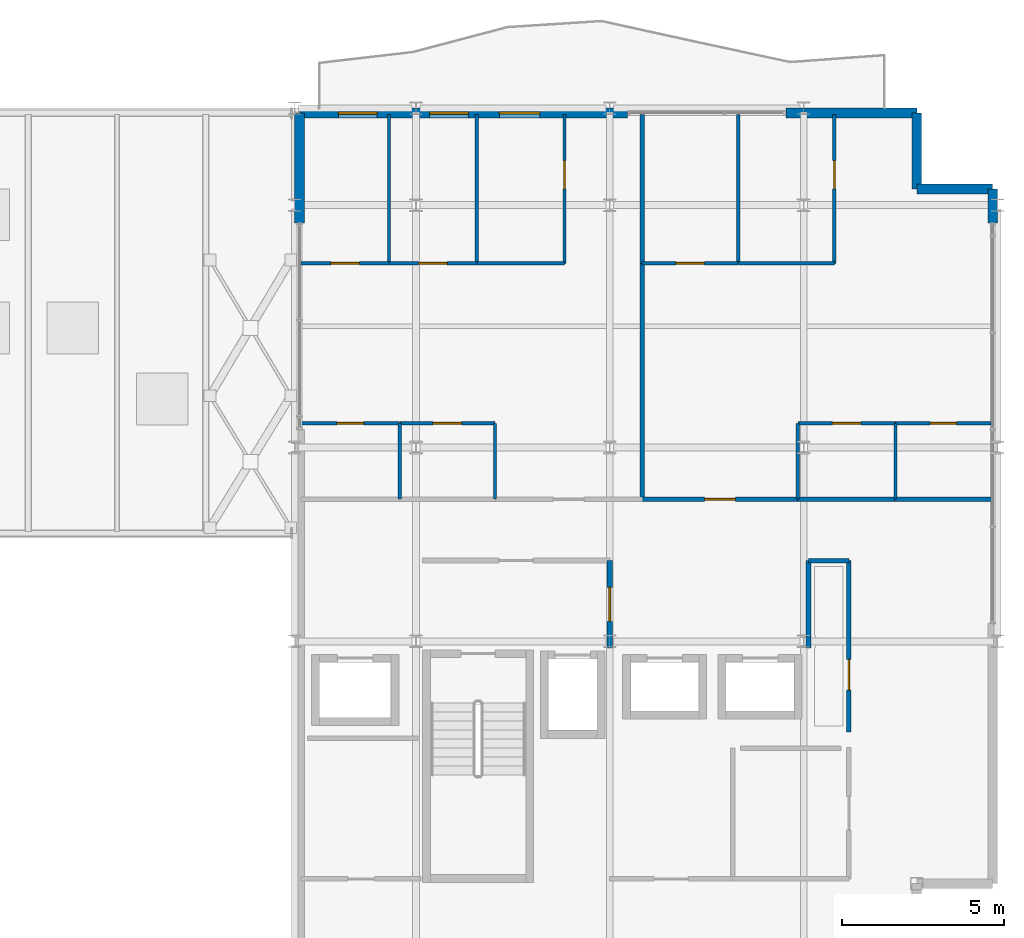
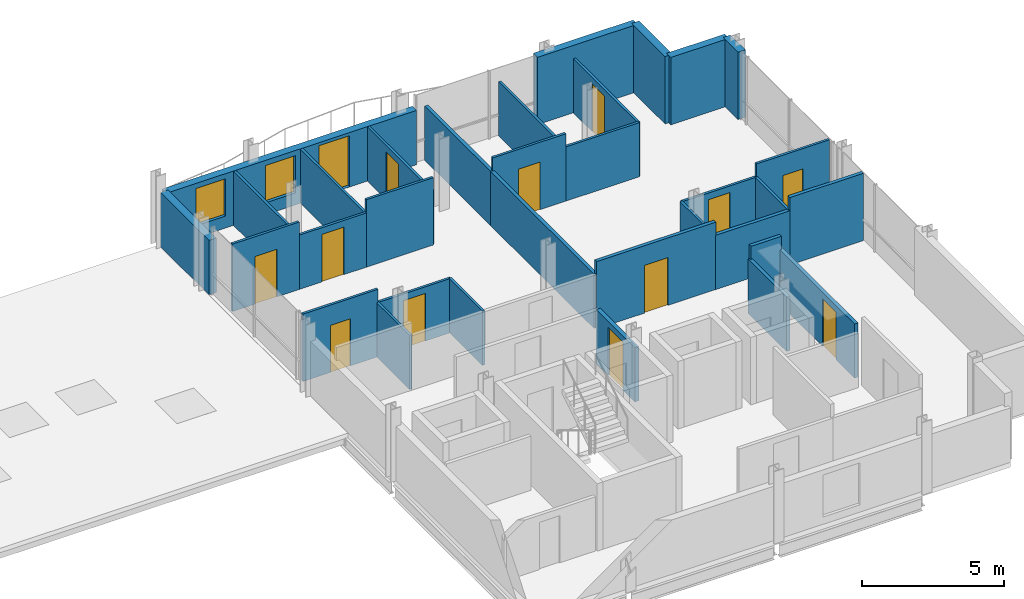
# One storey, part 30 of 33: 33 walls, 13 doors, 2 windows, 15 openings.
"""IFC4 building model written with IfcOpenShell, lengths in metres."""

from ifc_helpers import new_model, si_unit, direction, frame, frame_2d, origin, place, context, subcontext, project, spatial, rectangle, extrude, material, layer, layer_set, type_object, element, fill, save


model = new_model("IFC4")

# Units and contexts
model_context = context("Model", 3, precision=1e-05, world=origin(), true_north=direction((0.0, 1.0)))
body_context = subcontext(model_context, "Body", "Model", "MODEL_VIEW")
ifc_project = project(units=[si_unit("LENGTHUNIT", "METRE"), si_unit("AREAUNIT", "SQUARE_METRE"), si_unit("VOLUMEUNIT", "CUBIC_METRE"), si_unit("PLANEANGLEUNIT", "RADIAN"), si_unit("MASSUNIT", "GRAM", prefix="KILO")], contexts=[model_context])

# Site, building, storey
site_placement = place(None, origin())
site = spatial("IfcSite", under=ifc_project, at=site_placement, CompositionType="ELEMENT")
building_placement = place(site_placement, origin())
building = spatial("IfcBuilding", under=site, at=building_placement, Name="Brevholm Reach", CompositionType="ELEMENT")
storey_placement = place(building_placement, frame((0.0, 0.0, 189.39990234375)))
storey = spatial("IfcBuildingStorey", under=building, at=storey_placement, Name="L57", CompositionType="ELEMENT", Elevation=189.39990234375)

# Walls
ifc_material_1 = material(Name="Concrete C40/50", Category="concrete")
ifc_layer_1 = layer(ifc_material_1, 0.300048828125)
ifc_layer_set_1 = layer_set([ifc_layer_1], Name="Concrete C40/50")
wall_type_1 = type_object("IfcWallType", Name="WAL-EXT-300", PredefinedType="STANDARD", material=ifc_layer_set_1)
for number, where, z_axis, x_axis, name in (
    (1, (59.85009765625, 24.0, 0.0), (0.0, 0.0, 1.0), (-1.0, 0.0, 0.0), "L57 Facade Wall WAL-L57-EW-CNE1"),
    (2, (57.5, 24.0, 0.0), (0.0, 0.0, 1.0), (0.0, 1.0, 0.0), "L57 Facade Wall WAL-L57-EW-CNE2"),
):
    element("IfcWall", number, at=place(storey_placement, frame(where, z_axis=z_axis, x_axis=x_axis)), inside=storey, type_object=wall_type_1, Name=name, PredefinedType="STANDARD", context=body_context, shape_type="SweptSolid", body=[
        extrude(rectangle(XDim=2.35009765625, YDim=0.300048828125, at=frame_2d((1.175048828125, 0.0))), origin(), (0.0, 0.0, 1.0), 2.89013671875),
    ])
wall_1_placement = place(storey_placement, frame((38.39990234375, 26.35009765625, 0.0), z_axis=(0.0, 0.0, 1.0), x_axis=(0.0, -1.0, 0.0)))
element("IfcWall", 3, at=wall_1_placement, inside=storey, type_object=wall_type_1, Name="L57 Facade Wall WAL-L57-VP-EN", PredefinedType="STANDARD", context=body_context, shape_type="SweptSolid", body=[
    extrude(rectangle(XDim=3.400146484375, YDim=0.300048828125, at=frame_2d((1.7001953125, 0.0))), origin(), (0.0, 0.0, 1.0), 2.33203125),
])
wall_2_placement = place(storey_placement, frame((59.85009765625, 22.949951171875, 0.0), z_axis=(0.0, 0.0, 1.0), x_axis=(0.0, 1.0, 0.0)))
element("IfcWall", 4, at=wall_2_placement, inside=storey, type_object=wall_type_1, Name="L57 Facade Wall WAL-L57-EW-EN", PredefinedType="STANDARD", context=body_context, shape_type="SweptSolid", body=[
    extrude(rectangle(XDim=1.050048828125, YDim=0.300048828125, at=frame_2d((0.52490234375, 0.0))), origin(), (0.0, 0.0, 1.0), 2.89013671875),
])

# Wall, openings, door, windows
wall_3_placement = place(storey_placement, frame((38.39990234375, 26.35009765625, 0.0), z_axis=(0.0, 0.0, 1.0), x_axis=(1.0, 0.0, 0.0)))
wall_3 = element("IfcWall", 5, at=wall_3_placement, inside=storey, type_object=wall_type_1, Name="L57 Facade Wall WAL-L57-EW-NP1", PredefinedType="STANDARD", context=body_context, shape_type="SweptSolid", body=[
    extrude(rectangle(XDim=10.150146484375, YDim=0.300048828125, at=frame_2d((5.0751953125, 0.0))), origin(), (0.0, 0.0, 1.0), 2.33203125),
])
opening_1_placement = place(wall_3_placement, frame((6.18408203125, 0.0, 0.0)))
opening_1 = element("IfcOpeningElement", 6, at=opening_1_placement, cuts=wall_3, Name="Opening BD-02", PredefinedType="OPENING", context=body_context, shape_type="SweptSolid", body=[
    extrude(rectangle(XDim=1.25, YDim=2.199951171875, at=frame_2d((0.625, 1.10009765625))), frame((0.0, 0.159912109375, 0.0), z_axis=(0.0, -1.0, 0.0), x_axis=(1.0, 0.0, 0.0)), (0.0, 0.0, 1.0), 0.320068359375),
])
opening_2_placement = place(wall_3_placement, frame((1.199951171875, 0.0, 0.511962890625)))
opening_2 = element("IfcOpeningElement", 7, at=opening_2_placement, cuts=wall_3, Name="Opening WN-08", PredefinedType="OPENING", context=body_context, shape_type="SweptSolid", body=[
    extrude(rectangle(XDim=1.199951171875, YDim=1.60009765625, at=frame_2d((0.60009765625, 0.800048828125))), frame((0.0, 0.159912109375, 0.0), z_axis=(0.0, -1.0, 0.0), x_axis=(1.0, 0.0, 0.0)), (0.0, 0.0, 1.0), 0.320068359375),
])
opening_3_placement = place(wall_3_placement, frame((4.02685546875, 0.0, 0.511962890625)))
opening_3 = element("IfcOpeningElement", 8, at=opening_3_placement, cuts=wall_3, Name="Opening WN-08", PredefinedType="OPENING", context=body_context, shape_type="SweptSolid", body=[
    extrude(rectangle(XDim=1.199951171875, YDim=1.60009765625, at=frame_2d((0.60009765625, 0.800048828125))), frame((0.0, 0.159912109375, 0.0), z_axis=(0.0, -1.0, 0.0), x_axis=(1.0, 0.0, 0.0)), (0.0, 0.0, 1.0), 0.320068359375),
])
ifc_material_2 = material(Name="Dark Anodised Aluminium and Triple-Glazed Glass", Category="aluminium")
door_type_1 = type_object("IfcDoorType", Name="DOR-BALC-1250", OperationType="NOTDEFINED", PredefinedType="DOOR", material=ifc_material_2)
door_1_placement = place(opening_1_placement, origin())
door_1 = element("IfcDoor", 9, at=door_1_placement, inside=storey, type_object=door_type_1, Name="L57 Exterior Door DOR-L57-BL-NE", OperationType="SINGLE_SWING_LEFT", OverallHeight=2.199951171875, OverallWidth=1.25, PredefinedType="DOOR", context=body_context, shape_type="SweptSolid", body=[
    extrude(rectangle(XDim=1.25, YDim=2.199951171875, at=frame_2d((0.625, 1.10009765625))), frame((0.0, 0.02490234375, 0.0), z_axis=(0.0, -1.0, 0.0), x_axis=(1.0, 0.0, 0.0)), (0.0, 0.0, 1.0), 0.050048828125),
])
fill(opening_1, door_1)
ifc_material_3 = material(Name="Dark Anodised Aluminium and Solar-Control IGU Glass", Category="aluminium")
window_type = type_object("IfcWindowType", Name="WIN-RES-1200", PartitioningType="SINGLE_PANEL", PredefinedType="WINDOW", material=ifc_material_3)
window_1_placement = place(opening_2_placement, origin())
window_1 = element("IfcWindow", 10, at=window_1_placement, inside=storey, type_object=window_type, Name="L57 Window WIN-L57-EW-NP1", OverallHeight=1.60009765625, OverallWidth=1.199951171875, PartitioningType="SINGLE_PANEL", PredefinedType="WINDOW", context=body_context, shape_type="SweptSolid", body=[
    extrude(rectangle(XDim=1.199951171875, YDim=1.60009765625, at=frame_2d((0.60009765625, 0.800048828125))), frame((0.0, 0.030029296875, 0.0), z_axis=(0.0, -1.0, 0.0), x_axis=(1.0, 0.0, 0.0)), (0.0, 0.0, 1.0), 0.06005859375),
])
fill(opening_2, window_1)
window_2_placement = place(opening_3_placement, origin())
window_2 = element("IfcWindow", 11, at=window_2_placement, inside=storey, type_object=window_type, Name="L57 Bedroom Window 057", OverallHeight=1.60009765625, OverallWidth=1.199951171875, PartitioningType="SINGLE_PANEL", PredefinedType="WINDOW", context=body_context, shape_type="SweptSolid", body=[
    extrude(rectangle(XDim=1.199951171875, YDim=1.60009765625, at=frame_2d((0.60009765625, 0.800048828125))), frame((0.0, 0.030029296875, 0.0), z_axis=(0.0, -1.0, 0.0), x_axis=(1.0, 0.0, 0.0)), (0.0, 0.0, 1.0), 0.06005859375),
])
fill(opening_3, window_2)

# Walls
wall_4_placement = place(storey_placement, frame((53.449951171875, 26.35009765625, 0.0), z_axis=(0.0, 0.0, 1.0), x_axis=(1.0, 0.0, 0.0)))
element("IfcWall", 12, at=wall_4_placement, inside=storey, type_object=wall_type_1, Name="L57 Facade Wall WAL-L57-EW-NP2", PredefinedType="STANDARD", context=body_context, shape_type="SweptSolid", body=[
    extrude(rectangle(XDim=4.050048828125, YDim=0.300048828125, at=frame_2d((2.02490234375, 0.0))), origin(), (0.0, 0.0, 1.0), 2.89013671875),
])
ifc_material_4 = material(Name="Moisture-Resistant Acoustic Gypsum Stud Partition 100 mm", Category="gypsum")
ifc_layer_2 = layer(ifc_material_4, 0.10009765625)
ifc_layer_set_2 = layer_set([ifc_layer_2], Name="Moisture-Resistant Acoustic Gypsum Stud Partition 100 mm")
wall_type_2 = type_object("IfcWallType", Name="WAL-PRT-100", PredefinedType="PARTITIONING", material=ifc_layer_set_2)
wall_5_placement = place(storey_placement, frame((41.498046875, 14.404052734375, 0.0), z_axis=(0.0, 0.0, 1.0), x_axis=(0.0, 1.0, 0.0)))
element("IfcWall", 13, at=wall_5_placement, inside=storey, type_object=wall_type_2, Name="L57 Internal Partition 070", PredefinedType="PARTITIONING", context=body_context, shape_type="SweptSolid", body=[
    extrude(rectangle(XDim=2.345947265625, YDim=0.10009765625, at=frame_2d((1.1728515625, 0.0))), origin(), (0.0, 0.0, 1.0), 2.32568359375),
])

# Wall, opening, door
wall_6_placement = place(storey_placement, frame((38.449951171875, 16.75, 0.0), z_axis=(0.0, 0.0, 1.0), x_axis=(1.0, 0.0, 0.0)))
wall_6 = element("IfcWall", 14, at=wall_6_placement, inside=storey, type_object=wall_type_2, Name="L57 Internal Partition 071", PredefinedType="PARTITIONING", context=body_context, shape_type="SweptSolid", body=[
    extrude(rectangle(XDim=3.048095703125, YDim=0.10009765625, at=frame_2d((1.52392578125, 0.0))), origin(), (0.0, 0.0, 1.0), 2.89013671875),
])
opening_4_placement = place(wall_6_placement, frame((1.114013671875, 0.0, 0.0)))
opening_4 = element("IfcOpeningElement", 15, at=opening_4_placement, cuts=wall_6, Name="Opening ID-03", PredefinedType="OPENING", context=body_context, shape_type="SweptSolid", body=[
    extrude(rectangle(XDim=0.820068359375, YDim=2.02001953125, at=frame_2d((0.41015625, 1.010009765625))), frame((0.0, 0.06005859375, 0.0), z_axis=(0.0, -1.0, 0.0), x_axis=(1.0, 0.0, 0.0)), (0.0, 0.0, 1.0), 0.1201171875),
])
ifc_material_5 = material(Name="Moisture-Resistant Painted Timber Internal Bathroom Door", Category="wood")
door_type_2 = type_object("IfcDoorType", Name="DOR-BATH-820", OperationType="NOTDEFINED", PredefinedType="DOOR", material=ifc_material_5)
door_2_placement = place(opening_4_placement, origin())
door_2 = element("IfcDoor", 16, at=door_2_placement, inside=storey, type_object=door_type_2, Name="L57 Internal Door 031", OperationType="SINGLE_SWING_LEFT", OverallHeight=2.02001953125, OverallWidth=0.820068359375, PredefinedType="DOOR", context=body_context, shape_type="SweptSolid", body=[
    extrude(rectangle(XDim=0.820068359375, YDim=2.02001953125, at=frame_2d((0.41015625, 1.010009765625))), frame((0.0, 0.02490234375, 0.0), z_axis=(0.0, -1.0, 0.0), x_axis=(1.0, 0.0, 0.0)), (0.0, 0.0, 1.0), 0.050048828125),
])
fill(opening_4, door_2)

# Wall
wall_7_placement = place(storey_placement, frame((44.451904296875, 14.404052734375, 0.0), z_axis=(0.0, 0.0, 1.0), x_axis=(0.0, 1.0, 0.0)))
element("IfcWall", 17, at=wall_7_placement, inside=storey, type_object=wall_type_2, Name="L57 Internal Partition 072", PredefinedType="PARTITIONING", context=body_context, shape_type="SweptSolid", body=[
    extrude(rectangle(XDim=2.345947265625, YDim=0.10009765625, at=frame_2d((1.1728515625, 0.0))), origin(), (0.0, 0.0, 1.0), 2.32568359375),
])

# Wall, opening, door
wall_8_placement = place(storey_placement, frame((41.501953125, 16.75, 0.0), z_axis=(0.0, 0.0, 1.0), x_axis=(1.0, 0.0, 0.0)))
wall_8 = element("IfcWall", 18, at=wall_8_placement, inside=storey, type_object=wall_type_2, Name="L57 Internal Partition 073", PredefinedType="PARTITIONING", context=body_context, shape_type="SweptSolid", body=[
    extrude(rectangle(XDim=2.949951171875, YDim=0.10009765625, at=frame_2d((1.47509765625, 0.0))), origin(), (0.0, 0.0, 1.0), 2.32568359375),
])
opening_5_placement = place(wall_8_placement, frame((1.034912109375, 0.0, 0.0)))
opening_5 = element("IfcOpeningElement", 19, at=opening_5_placement, cuts=wall_8, Name="Opening ID-01", PredefinedType="OPENING", context=body_context, shape_type="SweptSolid", body=[
    extrude(rectangle(XDim=0.8798828125, YDim=2.0400390625, at=frame_2d((0.43994140625, 1.02001953125))), frame((0.0, 0.06005859375, 0.0), z_axis=(0.0, -1.0, 0.0), x_axis=(1.0, 0.0, 0.0)), (0.0, 0.0, 1.0), 0.1201171875),
])
ifc_material_6 = material(Name="Lacquered Ash Solid-Core Acoustic Internal Door", Category="timber")
door_type_3 = type_object("IfcDoorType", Name="DOR-INT-880", OperationType="NOTDEFINED", PredefinedType="DOOR", material=ifc_material_6)
door_3_placement = place(opening_5_placement, origin())
door_3 = element("IfcDoor", 20, at=door_3_placement, inside=storey, type_object=door_type_3, Name="L57 Internal Door 032", OperationType="SINGLE_SWING_RIGHT", OverallHeight=2.0400390625, OverallWidth=0.8798828125, PredefinedType="DOOR", context=body_context, shape_type="SweptSolid", body=[
    extrude(rectangle(XDim=0.8798828125, YDim=2.0400390625, at=frame_2d((0.43994140625, 1.02001953125))), frame((0.0, 0.02490234375, 0.0), z_axis=(0.0, -1.0, 0.0), x_axis=(1.0, 0.0, 0.0)), (0.0, 0.0, 1.0), 0.050048828125),
])
fill(opening_5, door_3)

# Wall
wall_9_placement = place(storey_placement, frame((41.1669921875, 21.699951171875, 0.0), z_axis=(0.0, 0.0, 1.0), x_axis=(0.0, 1.0, 0.0)))
element("IfcWall", 21, at=wall_9_placement, inside=storey, type_object=wall_type_2, Name="L57 Internal Partition 074", PredefinedType="PARTITIONING", context=body_context, shape_type="SweptSolid", body=[
    extrude(rectangle(XDim=4.60009765625, YDim=0.10009765625, at=frame_2d((2.300048828125, 0.0))), origin(), (0.0, 0.0, 1.0), 2.32568359375),
])

# Wall, opening, door
wall_10_placement = place(storey_placement, frame((38.449951171875, 21.699951171875, 0.0), z_axis=(0.0, 0.0, 1.0), x_axis=(1.0, 0.0, 0.0)))
wall_10 = element("IfcWall", 22, at=wall_10_placement, inside=storey, type_object=wall_type_2, Name="L57 Internal Partition 075", PredefinedType="PARTITIONING", context=body_context, shape_type="SweptSolid", body=[
    extrude(rectangle(XDim=2.717041015625, YDim=0.10009765625, at=frame_2d((1.3583984375, 0.0))), origin(), (0.0, 0.0, 1.0), 2.89013671875),
])
opening_6_placement = place(wall_10_placement, frame((0.91845703125, 0.0, 0.0)))
opening_6 = element("IfcOpeningElement", 23, at=opening_6_placement, cuts=wall_10, Name="Opening ID-01", PredefinedType="OPENING", context=body_context, shape_type="SweptSolid", body=[
    extrude(rectangle(XDim=0.8798828125, YDim=2.0400390625, at=frame_2d((0.43994140625, 1.02001953125))), frame((0.0, 0.06005859375, 0.0), z_axis=(0.0, -1.0, 0.0), x_axis=(1.0, 0.0, 0.0)), (0.0, 0.0, 1.0), 0.1201171875),
])
door_4_placement = place(opening_6_placement, origin())
door_4 = element("IfcDoor", 24, at=door_4_placement, inside=storey, type_object=door_type_3, Name="L57 Internal Door 033", OperationType="SINGLE_SWING_LEFT", OverallHeight=2.0400390625, OverallWidth=0.8798828125, PredefinedType="DOOR", context=body_context, shape_type="SweptSolid", body=[
    extrude(rectangle(XDim=0.8798828125, YDim=2.0400390625, at=frame_2d((0.43994140625, 1.02001953125))), frame((0.0, 0.02490234375, 0.0), z_axis=(0.0, -1.0, 0.0), x_axis=(1.0, 0.0, 0.0)), (0.0, 0.0, 1.0), 0.050048828125),
])
fill(opening_6, door_4)

# Wall
wall_11_placement = place(storey_placement, frame((43.884033203125, 21.699951171875, 0.0), z_axis=(0.0, 0.0, 1.0), x_axis=(0.0, 1.0, 0.0)))
element("IfcWall", 25, at=wall_11_placement, inside=storey, type_object=wall_type_2, Name="L57 Internal Partition 076", PredefinedType="PARTITIONING", context=body_context, shape_type="SweptSolid", body=[
    extrude(rectangle(XDim=4.60009765625, YDim=0.10009765625, at=frame_2d((2.300048828125, 0.0))), origin(), (0.0, 0.0, 1.0), 2.32568359375),
])

# Wall, opening, door
wall_12_placement = place(storey_placement, frame((41.1708984375, 21.699951171875, 0.0), z_axis=(0.0, 0.0, 1.0), x_axis=(1.0, 0.0, 0.0)))
wall_12 = element("IfcWall", 26, at=wall_12_placement, inside=storey, type_object=wall_type_2, Name="L57 Internal Partition 077", PredefinedType="PARTITIONING", context=body_context, shape_type="SweptSolid", body=[
    extrude(rectangle(XDim=2.713134765625, YDim=0.10009765625, at=frame_2d((1.3564453125, 0.0))), origin(), (0.0, 0.0, 1.0), 2.32568359375),
])
opening_7_placement = place(wall_12_placement, frame((0.91650390625, 0.0, 0.0)))
opening_7 = element("IfcOpeningElement", 27, at=opening_7_placement, cuts=wall_12, Name="Opening ID-01", PredefinedType="OPENING", context=body_context, shape_type="SweptSolid", body=[
    extrude(rectangle(XDim=0.8798828125, YDim=2.0400390625, at=frame_2d((0.43994140625, 1.02001953125))), frame((0.0, 0.06005859375, 0.0), z_axis=(0.0, -1.0, 0.0), x_axis=(1.0, 0.0, 0.0)), (0.0, 0.0, 1.0), 0.1201171875),
])
door_5_placement = place(opening_7_placement, origin())
door_5 = element("IfcDoor", 28, at=door_5_placement, inside=storey, type_object=door_type_3, Name="L57 Internal Door 034", OperationType="SINGLE_SWING_RIGHT", OverallHeight=2.0400390625, OverallWidth=0.8798828125, PredefinedType="DOOR", context=body_context, shape_type="SweptSolid", body=[
    extrude(rectangle(XDim=0.8798828125, YDim=2.0400390625, at=frame_2d((0.43994140625, 1.02001953125))), frame((0.0, 0.02490234375, 0.0), z_axis=(0.0, -1.0, 0.0), x_axis=(1.0, 0.0, 0.0)), (0.0, 0.0, 1.0), 0.050048828125),
])
fill(opening_7, door_5)

# Wall
wall_13_placement = place(storey_placement, frame((43.887939453125, 21.699951171875, 0.0), z_axis=(0.0, 0.0, 1.0), x_axis=(1.0, 0.0, 0.0)))
element("IfcWall", 29, at=wall_13_placement, inside=storey, type_object=wall_type_2, Name="L57 Internal Partition 078", PredefinedType="PARTITIONING", context=body_context, shape_type="SweptSolid", body=[
    extrude(rectangle(XDim=2.713134765625, YDim=0.10009765625, at=frame_2d((1.3564453125, 0.0))), origin(), (0.0, 0.0, 1.0), 2.89013671875),
])

# Wall, opening, door
wall_14_placement = place(storey_placement, frame((46.60107421875, 21.699951171875, 0.0), z_axis=(0.0, 0.0, 1.0), x_axis=(0.0, 1.0, 0.0)))
wall_14 = element("IfcWall", 30, at=wall_14_placement, inside=storey, type_object=wall_type_2, Name="L57 Internal Partition 079", PredefinedType="PARTITIONING", context=body_context, shape_type="SweptSolid", body=[
    extrude(rectangle(XDim=4.60009765625, YDim=0.10009765625, at=frame_2d((2.300048828125, 0.0))), origin(), (0.0, 0.0, 1.0), 2.32568359375),
])
opening_8_placement = place(wall_14_placement, frame((2.300048828125, 0.0, 0.0)))
opening_8 = element("IfcOpeningElement", 31, at=opening_8_placement, cuts=wall_14, Name="Opening ID-01", PredefinedType="OPENING", context=body_context, shape_type="SweptSolid", body=[
    extrude(rectangle(XDim=0.8798828125, YDim=2.0400390625, at=frame_2d((0.43994140625, 1.02001953125))), frame((0.0, 0.06005859375, 0.0), z_axis=(0.0, -1.0, 0.0), x_axis=(1.0, 0.0, 0.0)), (0.0, 0.0, 1.0), 0.1201171875),
])
door_6_placement = place(opening_8_placement, origin())
door_6 = element("IfcDoor", 32, at=door_6_placement, inside=storey, type_object=door_type_3, Name="L57 Internal Door 035", OperationType="SINGLE_SWING_LEFT", OverallHeight=2.0400390625, OverallWidth=0.8798828125, PredefinedType="DOOR", context=body_context, shape_type="SweptSolid", body=[
    extrude(rectangle(XDim=0.8798828125, YDim=2.0400390625, at=frame_2d((0.43994140625, 1.02001953125))), frame((0.0, 0.02490234375, 0.0), z_axis=(0.0, -1.0, 0.0), x_axis=(1.0, 0.0, 0.0)), (0.0, 0.0, 1.0), 0.050048828125),
])
fill(opening_8, door_6)

# Wall
wall_15_placement = place(storey_placement, frame((56.843994140625, 14.404052734375, 0.0), z_axis=(0.0, 0.0, 1.0), x_axis=(0.0, 1.0, 0.0)))
element("IfcWall", 33, at=wall_15_placement, inside=storey, type_object=wall_type_2, Name="L57 Internal Partition 082", PredefinedType="PARTITIONING", context=body_context, shape_type="SweptSolid", body=[
    extrude(rectangle(XDim=2.345947265625, YDim=0.10009765625, at=frame_2d((1.1728515625, 0.0))), origin(), (0.0, 0.0, 1.0), 2.32568359375),
])

# Wall, opening, door
wall_16_placement = place(storey_placement, frame((56.843994140625, 16.75, 0.0), z_axis=(0.0, 0.0, 1.0), x_axis=(1.0, 0.0, 0.0)))
wall_16 = element("IfcWall", 34, at=wall_16_placement, inside=storey, type_object=wall_type_2, Name="L57 Internal Partition 083", PredefinedType="PARTITIONING", context=body_context, shape_type="SweptSolid", body=[
    extrude(rectangle(XDim=2.9560546875, YDim=0.10009765625, at=frame_2d((1.47802734375, 0.0))), origin(), (0.0, 0.0, 1.0), 2.89013671875),
])
opening_9_placement = place(wall_16_placement, frame((1.068115234375, 0.0, 0.0)))
opening_9 = element("IfcOpeningElement", 35, at=opening_9_placement, cuts=wall_16, Name="Opening ID-03", PredefinedType="OPENING", context=body_context, shape_type="SweptSolid", body=[
    extrude(rectangle(XDim=0.820068359375, YDim=2.02001953125, at=frame_2d((0.41015625, 1.010009765625))), frame((0.0, 0.06005859375, 0.0), z_axis=(0.0, -1.0, 0.0), x_axis=(1.0, 0.0, 0.0)), (0.0, 0.0, 1.0), 0.1201171875),
])
door_7_placement = place(opening_9_placement, origin())
door_7 = element("IfcDoor", 36, at=door_7_placement, inside=storey, type_object=door_type_2, Name="L57 Internal Door 036", OperationType="SINGLE_SWING_RIGHT", OverallHeight=2.02001953125, OverallWidth=0.820068359375, PredefinedType="DOOR", context=body_context, shape_type="SweptSolid", body=[
    extrude(rectangle(XDim=0.820068359375, YDim=2.02001953125, at=frame_2d((0.41015625, 1.010009765625))), frame((0.0, 0.02490234375, 0.0), z_axis=(0.0, -1.0, 0.0), x_axis=(1.0, 0.0, 0.0)), (0.0, 0.0, 1.0), 0.050048828125),
])
fill(opening_9, door_7)

wall_17_placement = place(storey_placement, frame((53.820068359375, 16.75, 0.0), z_axis=(0.0, 0.0, 1.0), x_axis=(1.0, 0.0, 0.0)))
wall_17 = element("IfcWall", 37, at=wall_17_placement, inside=storey, type_object=wall_type_2, Name="L57 Internal Partition 084", PredefinedType="PARTITIONING", context=body_context, shape_type="SweptSolid", body=[
    extrude(rectangle(XDim=3.02001953125, YDim=0.10009765625, at=frame_2d((1.510009765625, 0.0))), origin(), (0.0, 0.0, 1.0), 2.32568359375),
])
opening_10_placement = place(wall_17_placement, frame((1.070068359375, 0.0, 0.0)))
opening_10 = element("IfcOpeningElement", 38, at=opening_10_placement, cuts=wall_17, Name="Opening ID-01", PredefinedType="OPENING", context=body_context, shape_type="SweptSolid", body=[
    extrude(rectangle(XDim=0.8798828125, YDim=2.0400390625, at=frame_2d((0.43994140625, 1.02001953125))), frame((0.0, 0.06005859375, 0.0), z_axis=(0.0, -1.0, 0.0), x_axis=(1.0, 0.0, 0.0)), (0.0, 0.0, 1.0), 0.1201171875),
])
door_8_placement = place(opening_10_placement, origin())
door_8 = element("IfcDoor", 39, at=door_8_placement, inside=storey, type_object=door_type_3, Name="L57 Internal Door 037", OperationType="SINGLE_SWING_LEFT", OverallHeight=2.0400390625, OverallWidth=0.8798828125, PredefinedType="DOOR", context=body_context, shape_type="SweptSolid", body=[
    extrude(rectangle(XDim=0.8798828125, YDim=2.0400390625, at=frame_2d((0.43994140625, 1.02001953125))), frame((0.0, 0.02490234375, 0.0), z_axis=(0.0, -1.0, 0.0), x_axis=(1.0, 0.0, 0.0)), (0.0, 0.0, 1.0), 0.050048828125),
])
fill(opening_10, door_8)

# Walls
wall_18_placement = place(storey_placement, frame((53.820068359375, 14.404052734375, 0.0), z_axis=(0.0, 0.0, 1.0), x_axis=(0.0, 1.0, 0.0)))
element("IfcWall", 40, at=wall_18_placement, inside=storey, type_object=wall_type_2, Name="L57 Internal Partition 085", PredefinedType="PARTITIONING", context=body_context, shape_type="SweptSolid", body=[
    extrude(rectangle(XDim=2.345947265625, YDim=0.10009765625, at=frame_2d((1.1728515625, 0.0))), origin(), (0.0, 0.0, 1.0), 2.32568359375),
])
wall_19_placement = place(storey_placement, frame((51.97509765625, 21.699951171875, 0.0), z_axis=(0.0, 0.0, 1.0), x_axis=(0.0, 1.0, 0.0)))
element("IfcWall", 41, at=wall_19_placement, inside=storey, type_object=wall_type_2, Name="L57 Internal Partition 086", PredefinedType="PARTITIONING", context=body_context, shape_type="SweptSolid", body=[
    extrude(rectangle(XDim=4.60009765625, YDim=0.10009765625, at=frame_2d((2.300048828125, 0.0))), origin(), (0.0, 0.0, 1.0), 2.32568359375),
])

# Wall, opening, door
wall_20_placement = place(storey_placement, frame((49.00390625, 21.699951171875, 0.0), z_axis=(0.0, 0.0, 1.0), x_axis=(1.0, 0.0, 0.0)))
wall_20 = element("IfcWall", 42, at=wall_20_placement, inside=storey, type_object=wall_type_2, Name="L57 Internal Partition 087", PredefinedType="PARTITIONING", context=body_context, shape_type="SweptSolid", body=[
    extrude(rectangle(XDim=2.97119140625, YDim=0.10009765625, at=frame_2d((1.485595703125, 0.0))), origin(), (0.0, 0.0, 1.0), 2.89013671875),
])
opening_11_placement = place(wall_20_placement, frame((1.04541015625, 0.0, 0.0)))
opening_11 = element("IfcOpeningElement", 43, at=opening_11_placement, cuts=wall_20, Name="Opening ID-01", PredefinedType="OPENING", context=body_context, shape_type="SweptSolid", body=[
    extrude(rectangle(XDim=0.8798828125, YDim=2.0400390625, at=frame_2d((0.43994140625, 1.02001953125))), frame((0.0, 0.06005859375, 0.0), z_axis=(0.0, -1.0, 0.0), x_axis=(1.0, 0.0, 0.0)), (0.0, 0.0, 1.0), 0.1201171875),
])
door_9_placement = place(opening_11_placement, origin())
door_9 = element("IfcDoor", 44, at=door_9_placement, inside=storey, type_object=door_type_3, Name="L57 Internal Door 038", OperationType="SINGLE_SWING_RIGHT", OverallHeight=2.0400390625, OverallWidth=0.8798828125, PredefinedType="DOOR", context=body_context, shape_type="SweptSolid", body=[
    extrude(rectangle(XDim=0.8798828125, YDim=2.0400390625, at=frame_2d((0.43994140625, 1.02001953125))), frame((0.0, 0.02490234375, 0.0), z_axis=(0.0, -1.0, 0.0), x_axis=(1.0, 0.0, 0.0)), (0.0, 0.0, 1.0), 0.050048828125),
])
fill(opening_11, door_9)

# Wall
wall_21_placement = place(storey_placement, frame((51.97900390625, 21.699951171875, 0.0), z_axis=(0.0, 0.0, 1.0), x_axis=(1.0, 0.0, 0.0)))
element("IfcWall", 45, at=wall_21_placement, inside=storey, type_object=wall_type_2, Name="L57 Internal Partition 088", PredefinedType="PARTITIONING", context=body_context, shape_type="SweptSolid", body=[
    extrude(rectangle(XDim=2.970947265625, YDim=0.10009765625, at=frame_2d((1.4853515625, 0.0))), origin(), (0.0, 0.0, 1.0), 2.32568359375),
])

# Wall, opening, door
wall_22_placement = place(storey_placement, frame((54.949951171875, 21.699951171875, 0.0), z_axis=(0.0, 0.0, 1.0), x_axis=(0.0, 1.0, 0.0)))
wall_22 = element("IfcWall", 46, at=wall_22_placement, inside=storey, type_object=wall_type_2, Name="L57 Internal Partition 089", PredefinedType="PARTITIONING", context=body_context, shape_type="SweptSolid", body=[
    extrude(rectangle(XDim=4.60009765625, YDim=0.10009765625, at=frame_2d((2.300048828125, 0.0))), origin(), (0.0, 0.0, 1.0), 2.32568359375),
])
opening_12_placement = place(wall_22_placement, frame((2.300048828125, 0.0, 0.0)))
opening_12 = element("IfcOpeningElement", 47, at=opening_12_placement, cuts=wall_22, Name="Opening ID-01", PredefinedType="OPENING", context=body_context, shape_type="SweptSolid", body=[
    extrude(rectangle(XDim=0.8798828125, YDim=2.0400390625, at=frame_2d((0.43994140625, 1.02001953125))), frame((0.0, 0.06005859375, 0.0), z_axis=(0.0, -1.0, 0.0), x_axis=(1.0, 0.0, 0.0)), (0.0, 0.0, 1.0), 0.1201171875),
])
door_10_placement = place(opening_12_placement, origin())
door_10 = element("IfcDoor", 48, at=door_10_placement, inside=storey, type_object=door_type_3, Name="L57 Internal Door 039", OperationType="SINGLE_SWING_LEFT", OverallHeight=2.0400390625, OverallWidth=0.8798828125, PredefinedType="DOOR", context=body_context, shape_type="SweptSolid", body=[
    extrude(rectangle(XDim=0.8798828125, YDim=2.0400390625, at=frame_2d((0.43994140625, 1.02001953125))), frame((0.0, 0.02490234375, 0.0), z_axis=(0.0, -1.0, 0.0), x_axis=(1.0, 0.0, 0.0)), (0.0, 0.0, 1.0), 0.050048828125),
])
fill(opening_12, door_10)

ifc_material_7 = material(Name="Twin-Stud Acoustic Fire-Rated Gypsum Partition 140 mm", Category="gypsum")
ifc_layer_3 = layer(ifc_material_7, 0.139892578125)
ifc_layer_set_3 = layer_set([ifc_layer_3], Name="Twin-Stud Acoustic Fire-Rated Gypsum Partition 140 mm")
wall_type_3 = type_object("IfcWallType", Name="WAL-PRT-140", PredefinedType="PARTITIONING", material=ifc_layer_set_3)
wall_23_placement = place(storey_placement, frame((55.39990234375, 7.188720703125, 0.0), z_axis=(0.0, 0.0, 1.0), x_axis=(0.0, 1.0, 0.0)))
wall_23 = element("IfcWall", 49, at=wall_23_placement, inside=storey, type_object=wall_type_3, Name="L57 Internal Partition 007", PredefinedType="PARTITIONING", context=body_context, shape_type="SweptSolid", body=[
    extrude(rectangle(XDim=5.311279296875, YDim=0.139892578125, at=frame_2d((2.65576171875, 0.0))), origin(), (0.0, 0.0, 1.0), 2.32568359375),
])
opening_13_placement = place(wall_23_placement, frame((1.30078125, 0.0, 0.0)))
opening_13 = element("IfcOpeningElement", 50, at=opening_13_placement, cuts=wall_23, Name="Opening ID-30", PredefinedType="OPENING", context=body_context, shape_type="SweptSolid", body=[
    extrude(rectangle(XDim=0.949951171875, YDim=2.050048828125, at=frame_2d((0.47509765625, 1.02490234375))), frame((0.0, 0.079833984375, 0.0), z_axis=(0.0, -1.0, 0.0), x_axis=(1.0, 0.0, 0.0)), (0.0, 0.0, 1.0), 0.159912109375),
])
ifc_material_8 = material(Name="European Oak Veneered Solid-Core Fire Entrance Door", Category="timber")
door_type_4 = type_object("IfcDoorType", Name="DOR-FLT-FD30S", OperationType="NOTDEFINED", PredefinedType="DOOR", material=ifc_material_8)
door_11_placement = place(opening_13_placement, origin())
door_11 = element("IfcDoor", 51, at=door_11_placement, inside=storey, type_object=door_type_4, Name="L57 Internal Door 005", OperationType="SINGLE_SWING_LEFT", OverallHeight=2.050048828125, OverallWidth=0.949951171875, PredefinedType="DOOR", context=body_context, shape_type="SweptSolid", body=[
    extrude(rectangle(XDim=0.949951171875, YDim=2.050048828125, at=frame_2d((0.47509765625, 1.02490234375))), frame((0.0, 0.02490234375, 0.0), z_axis=(0.0, -1.0, 0.0), x_axis=(1.0, 0.0, 0.0)), (0.0, 0.0, 1.0), 0.050048828125),
])
fill(opening_13, door_11)

# Walls
wall_24_placement = place(storey_placement, frame((54.14990234375, 9.800048828125, 0.0), z_axis=(0.0, 0.0, 1.0), x_axis=(0.0, 1.0, 0.0)))
element("IfcWall", 52, at=wall_24_placement, inside=storey, type_object=wall_type_3, Name="L57 Internal Partition 032", PredefinedType="PARTITIONING", context=body_context, shape_type="SweptSolid", body=[
    extrude(rectangle(XDim=2.699951171875, YDim=0.139892578125, at=frame_2d((1.35009765625, 0.0))), origin(), (0.0, 0.0, 1.0), 2.32568359375),
])
wall_25_placement = place(storey_placement, frame((54.154052734375, 12.5, 0.0), z_axis=(0.0, 0.0, 1.0), x_axis=(1.0, 0.0, 0.0)))
element("IfcWall", 53, at=wall_25_placement, inside=storey, type_object=wall_type_3, Name="L57 Internal Partition 033", PredefinedType="PARTITIONING", context=body_context, shape_type="SweptSolid", body=[
    extrude(rectangle(XDim=1.241943359375, YDim=0.139892578125, at=frame_2d((0.62109375, 0.0))), origin(), (0.0, 0.0, 1.0), 2.89013671875),
])
wall_26_placement = place(storey_placement, frame((56.832763671875, 14.39990234375, 0.0), z_axis=(0.0, 0.0, 1.0), x_axis=(1.0, 0.0, 0.0)))
element("IfcWall", 54, at=wall_26_placement, inside=storey, type_object=wall_type_3, Name="L57 Internal Partition 037", PredefinedType="PARTITIONING", context=body_context, shape_type="SweptSolid", body=[
    extrude(rectangle(XDim=2.978515625, YDim=0.139892578125, at=frame_2d((1.4892578125, 0.0))), origin(), (0.0, 0.0, 1.0), 2.89013671875),
])
wall_27_placement = place(storey_placement, frame((53.80859375, 14.39990234375, 0.0), z_axis=(0.0, 0.0, 1.0), x_axis=(1.0, 0.0, 0.0)))
element("IfcWall", 55, at=wall_27_placement, inside=storey, type_object=wall_type_3, Name="L57 Internal Partition 038", PredefinedType="PARTITIONING", context=body_context, shape_type="SweptSolid", body=[
    extrude(rectangle(XDim=3.042724609375, YDim=0.139892578125, at=frame_2d((1.521484375, 0.0))), origin(), (0.0, 0.0, 1.0), 2.32568359375),
])

# Wall, opening, door
wall_28_placement = place(storey_placement, frame((48.99267578125, 14.39990234375, 0.0), z_axis=(0.0, 0.0, 1.0), x_axis=(1.0, 0.0, 0.0)))
wall_28 = element("IfcWall", 56, at=wall_28_placement, inside=storey, type_object=wall_type_3, Name="L57 Internal Partition 039", PredefinedType="PARTITIONING", context=body_context, shape_type="SweptSolid", body=[
    extrude(rectangle(XDim=4.834716796875, YDim=0.139892578125, at=frame_2d((2.41748046875, 0.0))), origin(), (0.0, 0.0, 1.0), 2.89013671875),
])
opening_14_placement = place(wall_28_placement, frame((1.9423828125, 0.0, 0.0)))
opening_14 = element("IfcOpeningElement", 57, at=opening_14_placement, cuts=wall_28, Name="Opening ID-30", PredefinedType="OPENING", context=body_context, shape_type="SweptSolid", body=[
    extrude(rectangle(XDim=0.949951171875, YDim=2.050048828125, at=frame_2d((0.47509765625, 1.02490234375))), frame((0.0, 0.079833984375, 0.0), z_axis=(0.0, -1.0, 0.0), x_axis=(1.0, 0.0, 0.0)), (0.0, 0.0, 1.0), 0.159912109375),
])
door_12_placement = place(opening_14_placement, origin())
door_12 = element("IfcDoor", 58, at=door_12_placement, inside=storey, type_object=door_type_4, Name="L57 Internal Door 015", OperationType="SINGLE_SWING_LEFT", OverallHeight=2.050048828125, OverallWidth=0.949951171875, PredefinedType="DOOR", context=body_context, shape_type="SweptSolid", body=[
    extrude(rectangle(XDim=0.949951171875, YDim=2.050048828125, at=frame_2d((0.47509765625, 1.02490234375))), frame((0.0, 0.02490234375, 0.0), z_axis=(0.0, -1.0, 0.0), x_axis=(1.0, 0.0, 0.0)), (0.0, 0.0, 1.0), 0.050048828125),
])
fill(opening_14, door_12)

# Walls
wall_29_placement = place(storey_placement, frame((49.0, 21.688720703125, 0.0), z_axis=(0.0, 0.0, 1.0), x_axis=(0.0, 1.0, 0.0)))
element("IfcWall", 59, at=wall_29_placement, inside=storey, type_object=wall_type_3, Name="L57 Internal Partition 080", PredefinedType="PARTITIONING", context=body_context, shape_type="SweptSolid", body=[
    extrude(rectangle(XDim=4.611328125, YDim=0.139892578125, at=frame_2d((2.3056640625, 0.0))), origin(), (0.0, 0.0, 1.0), 2.32568359375),
])
wall_30_placement = place(storey_placement, frame((49.0, 14.404052734375, 0.0), z_axis=(0.0, 0.0, 1.0), x_axis=(0.0, 1.0, 0.0)))
element("IfcWall", 60, at=wall_30_placement, inside=storey, type_object=wall_type_3, Name="L57 Internal Partition 081", PredefinedType="PARTITIONING", context=body_context, shape_type="SweptSolid", body=[
    extrude(rectangle(XDim=7.30322265625, YDim=0.139892578125, at=frame_2d((3.651611328125, 0.0))), origin(), (0.0, 0.0, 1.0), 2.32568359375),
])

# Wall, opening, door
ifc_material_9 = material(Name="Twin-Frame Fire-Rated Gypsum Board and Mineral Wool 160 mm", Category="gypsum")
ifc_layer_4 = layer(ifc_material_9, 0.159912109375)
ifc_layer_set_4 = layer_set([ifc_layer_4], Name="Twin-Frame Fire-Rated Gypsum Board and Mineral Wool 160 mm")
wall_type_4 = type_object("IfcWallType", Name="WAL-PRT-160", PredefinedType="PARTITIONING", material=ifc_layer_set_4)
wall_31_placement = place(storey_placement, frame((48.0, 9.788818359375, 0.0), z_axis=(0.0, 0.0, 1.0), x_axis=(0.0, 1.0, 0.0)))
wall_31 = element("IfcWall", 61, at=wall_31_placement, inside=storey, type_object=wall_type_4, Name="L57 Internal Partition 030", PredefinedType="PARTITIONING", context=body_context, shape_type="SweptSolid", body=[
    extrude(rectangle(XDim=2.711181640625, YDim=0.159912109375, at=frame_2d((1.35546875, 0.0))), origin(), (0.0, 0.0, 1.0), 2.32568359375),
])
opening_15_placement = place(wall_31_placement, frame((0.83056640625, 0.0, 0.0)))
opening_15 = element("IfcOpeningElement", 62, at=opening_15_placement, cuts=wall_31, Name="Opening FD-01", PredefinedType="OPENING", context=body_context, shape_type="SweptSolid", body=[
    extrude(rectangle(XDim=1.050048828125, YDim=2.06005859375, at=frame_2d((0.52490234375, 1.030029296875))), frame((0.0, 0.08984375, 0.0), z_axis=(0.0, -1.0, 0.0), x_axis=(1.0, 0.0, 0.0)), (0.0, 0.0, 1.0), 0.179931640625),
])
ifc_material_10 = material(Name="Hardwood-Lipped Steel-Core Fire and Smoke Door", Category="steel")
door_type_5 = type_object("IfcDoorType", Name="DOR-INT-FD60S", OperationType="NOTDEFINED", PredefinedType="DOOR", material=ifc_material_10)
door_13_placement = place(opening_15_placement, origin())
door_13 = element("IfcDoor", 63, at=door_13_placement, inside=storey, type_object=door_type_5, Name="L57 Internal Door 012", OperationType="SINGLE_SWING_RIGHT", OverallHeight=2.06005859375, OverallWidth=1.050048828125, PredefinedType="DOOR", context=body_context, shape_type="SweptSolid", body=[
    extrude(rectangle(XDim=1.050048828125, YDim=2.06005859375, at=frame_2d((0.52490234375, 1.030029296875))), frame((0.0, 0.02490234375, 0.0), z_axis=(0.0, -1.0, 0.0), x_axis=(1.0, 0.0, 0.0)), (0.0, 0.0, 1.0), 0.050048828125),
])
fill(opening_15, door_13)

save(model, "model.ifc")
